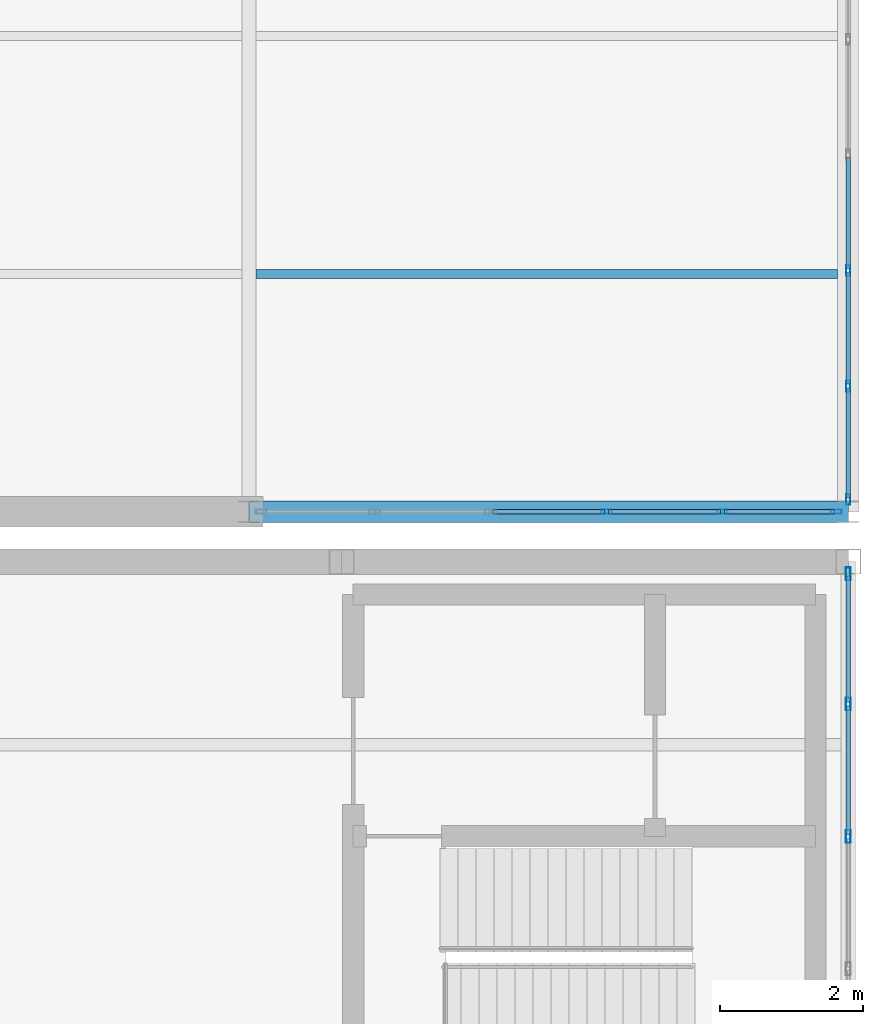
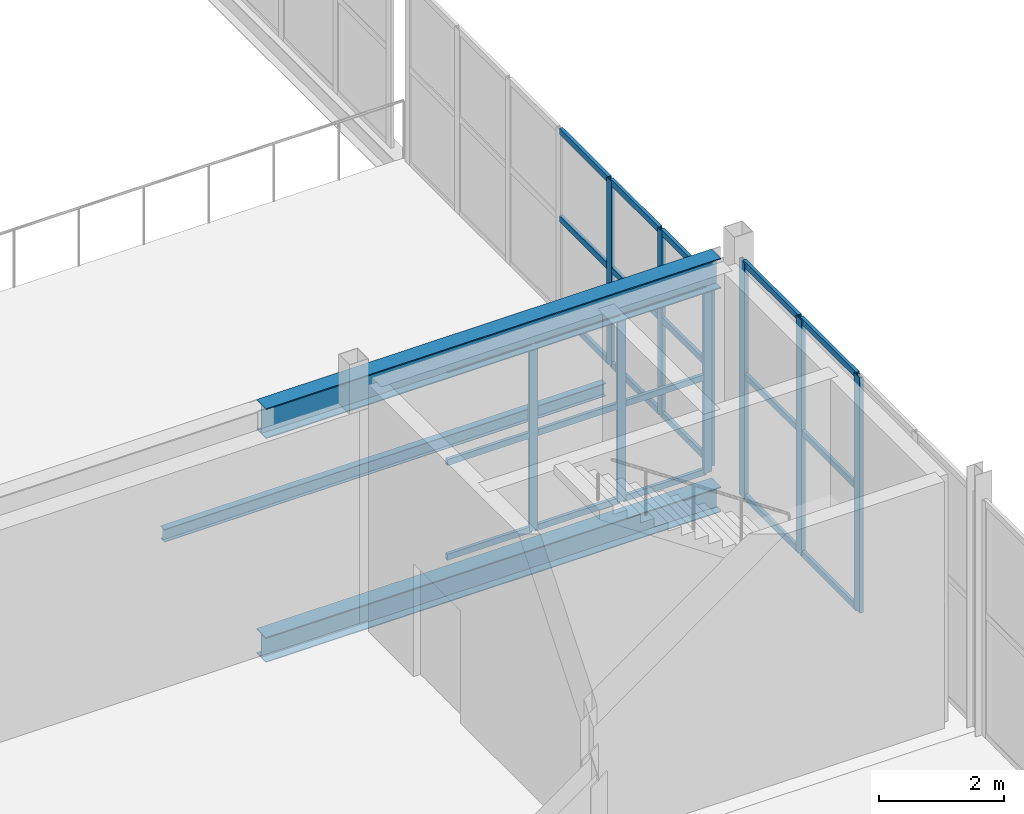
# One storey, part 152 of 218: 33 members, 3 beams, 3 elements without a shape of their own.
"""IFC4 building model written with IfcOpenShell, lengths in metres."""

from ifc_helpers import new_model, si_unit, direction, frame, origin, origin_2d, place, context, subcontext, project, spatial, hollow_rectangle, i_section, extrude, material, material_profile, profile_set, type_object, element, aggregate, save


model = new_model("IFC4")

# Units and contexts
model_context = context("Model", 3, precision=1e-05, world=origin(), true_north=direction((0.0, 1.0)))
body_context = subcontext(model_context, "Body", "Model", "MODEL_VIEW")
ifc_project = project(units=[si_unit("LENGTHUNIT", "METRE"), si_unit("AREAUNIT", "SQUARE_METRE"), si_unit("VOLUMEUNIT", "CUBIC_METRE"), si_unit("PLANEANGLEUNIT", "RADIAN"), si_unit("MASSUNIT", "GRAM", prefix="KILO")], contexts=[model_context])

# Site, building, storey
site_placement = place(None, origin())
site = spatial("IfcSite", under=ifc_project, at=site_placement, CompositionType="ELEMENT")
building_placement = place(site_placement, origin())
building = spatial("IfcBuilding", under=site, at=building_placement, Name="Kazenagashi Tramway Depot", CompositionType="ELEMENT")
storey_placement = place(building_placement, frame((0.0, 0.0, 6.0)))
storey = spatial("IfcBuildingStorey", under=building, at=storey_placement, Name="L02", CompositionType="ELEMENT", Elevation=6.0)

# Beam
ifc_material_1 = material(Name="Steel SN400B", Category="steel")
ifc_material_profile_1 = material_profile(ifc_material_1, i_section(OverallWidth=0.125, OverallDepth=0.25, WebThickness=0.006, FlangeThickness=0.009, at=origin_2d()), Name="H-250x125x6x9")
ifc_profile_set_1 = profile_set([ifc_material_profile_1], Name="Steel SN400B")
beam_type_1 = type_object("IfcBeamType", Name="J-03", PredefinedType="JOIST", material=ifc_profile_set_1)
beam_1_placement = place(storey_placement, frame((187.7, 73.333, -0.39), z_axis=(1.0, 0.0, 0.0), x_axis=(0.0, 1.0, 0.0)))
element("IfcBeam", 1, at=beam_1_placement, inside=storey, type_object=beam_type_1, Name="Beam J-03 BM-1788", PredefinedType="JOIST", context=body_context, shape_type="SweptSolid", body=[
    extrude(i_section(OverallWidth=0.125, OverallDepth=0.25, WebThickness=0.006, FlangeThickness=0.009, at=origin_2d()), origin(), (0.0, 0.0, 1.0), 8.15),
])

# Curtain wall, members
ifc_material_2 = material(Name="Anodised Aluminium and Low-E Glazing", Category="aluminium")
curtain_wall_type_1 = type_object("IfcCurtainWallType", Name="CW-02", PredefinedType="USERDEFINED", material=ifc_material_2)
curtain_wall_1_placement = place(storey_placement, origin())
curtain_wall_1 = element("IfcCurtainWall", 2, at=curtain_wall_1_placement, inside=storey, type_object=curtain_wall_type_1, Name="Industrial Glazed Screen CW-02 CW-0002", ObjectType="GLAZED SCREEN", PredefinedType="USERDEFINED")
ifc_material_3 = material(Name="Anodised Aluminium", Category="aluminium")
ifc_material_profile_2 = material_profile(ifc_material_3, hollow_rectangle(XDim=0.06, YDim=0.15, WallThickness=0.004, at=origin_2d()), Name="RHS-150x60x4")
ifc_profile_set_2 = profile_set([ifc_material_profile_2], Name="Anodised Aluminium")
member_type_1 = type_object("IfcMemberType", Name="ML-01", PredefinedType="MULLION", material=ifc_profile_set_2)
member_1_placement = place(storey_placement, frame((196.0, 70.17, 0.0), z_axis=(0.0, 0.0, 1.0), x_axis=(-1.0, 0.0, 0.0)))
member_1 = element("IfcMember", 3, at=member_1_placement, type_object=member_type_1, Name="CW-02 mullion 1", PredefinedType="MULLION", context=body_context, shape_type="SweptSolid", body=[
    extrude(hollow_rectangle(XDim=0.06, YDim=0.15, WallThickness=0.004, at=origin_2d()), origin(), (0.0, 0.0, 1.0), 3.612),
])
member_2_placement = place(storey_placement, frame((196.0, 71.76, 0.0), z_axis=(0.0, 0.0, 1.0), x_axis=(-1.0, 0.0, 0.0)))
member_2 = element("IfcMember", 4, at=member_2_placement, type_object=member_type_1, Name="CW-02 mullion 2", PredefinedType="MULLION", context=body_context, shape_type="SweptSolid", body=[
    extrude(hollow_rectangle(XDim=0.06, YDim=0.15, WallThickness=0.004, at=origin_2d()), origin(), (0.0, 0.0, 1.0), 3.612),
])
member_3_placement = place(storey_placement, frame((196.0, 73.38, 0.0), z_axis=(0.0, 0.0, 1.0), x_axis=(-1.0, 0.0, 0.0)))
member_3 = element("IfcMember", 5, at=member_3_placement, type_object=member_type_1, Name="CW-02 mullion 3", PredefinedType="MULLION", context=body_context, shape_type="SweptSolid", body=[
    extrude(hollow_rectangle(XDim=0.06, YDim=0.15, WallThickness=0.004, at=origin_2d()), origin(), (0.0, 0.0, 1.0), 3.612),
])

curtain_wall_type_2 = type_object("IfcCurtainWallType", Name="CW-11", PredefinedType="USERDEFINED", material=ifc_material_2)
curtain_wall_2_placement = place(storey_placement, origin())
curtain_wall_2 = element("IfcCurtainWall", 6, at=curtain_wall_2_placement, inside=storey, type_object=curtain_wall_type_2, Name="Industrial Glazed Screen CW-11 CW-0055", ObjectType="GLAZED SCREEN", PredefinedType="USERDEFINED")
member_4_placement = place(storey_placement, frame((192.612, 70.0, 0.0), z_axis=(0.0, 0.0, 1.0), x_axis=(0.0, 1.0, 0.0)))
member_4 = element("IfcMember", 7, at=member_4_placement, type_object=member_type_1, Name="CW-11 mullion 4", PredefinedType="MULLION", context=body_context, shape_type="SweptSolid", body=[
    extrude(hollow_rectangle(XDim=0.06, YDim=0.15, WallThickness=0.004, at=origin_2d()), origin(), (0.0, 0.0, 1.0), 3.612),
])
member_5_placement = place(storey_placement, frame((194.236, 70.0, 0.0), z_axis=(0.0, 0.0, 1.0), x_axis=(0.0, 1.0, 0.0)))
member_5 = element("IfcMember", 8, at=member_5_placement, type_object=member_type_1, Name="CW-11 mullion 5", PredefinedType="MULLION", context=body_context, shape_type="SweptSolid", body=[
    extrude(hollow_rectangle(XDim=0.06, YDim=0.15, WallThickness=0.004, at=origin_2d()), origin(), (0.0, 0.0, 1.0), 3.612),
])
member_6_placement = place(storey_placement, frame((195.83, 70.0, 0.0), z_axis=(0.0, 0.0, 1.0), x_axis=(0.0, 1.0, 0.0)))
member_6 = element("IfcMember", 9, at=member_6_placement, type_object=member_type_1, Name="CW-11 mullion 6", PredefinedType="MULLION", context=body_context, shape_type="SweptSolid", body=[
    extrude(hollow_rectangle(XDim=0.06, YDim=0.15, WallThickness=0.004, at=origin_2d()), origin(), (0.0, 0.0, 1.0), 3.612),
])

curtain_wall_type_3 = type_object("IfcCurtainWallType", Name="CW-23", PredefinedType="USERDEFINED", material=ifc_material_2)
curtain_wall_3_placement = place(storey_placement, origin())
curtain_wall_3 = element("IfcCurtainWall", 10, at=curtain_wall_3_placement, inside=storey, type_object=curtain_wall_type_3, Name="Industrial Glazed Screen CW-23 CW-0133", ObjectType="GLAZED SCREEN", PredefinedType="USERDEFINED")
ifc_material_profile_3 = material_profile(ifc_material_3, hollow_rectangle(XDim=0.07, YDim=0.18, WallThickness=0.005, at=origin_2d()), Name="RHS-180x70x5")
ifc_profile_set_3 = profile_set([ifc_material_profile_3], Name="Anodised Aluminium")
member_type_2 = type_object("IfcMemberType", Name="ML-02", PredefinedType="MULLION", material=ifc_profile_set_3)
member_7_placement = place(storey_placement, frame((196.0, 65.45, 0.0), z_axis=(0.0, 0.0, 1.0), x_axis=(-1.0, 0.0, 0.0)))
member_7 = element("IfcMember", 11, at=member_7_placement, type_object=member_type_2, Name="CW-23 mullion 3", PredefinedType="MULLION", context=body_context, shape_type="SweptSolid", body=[
    extrude(hollow_rectangle(XDim=0.07, YDim=0.18, WallThickness=0.005, at=origin_2d()), origin(), (0.0, 0.0, 1.0), 4.6),
])
member_8_placement = place(storey_placement, frame((196.0, 67.305, 0.0), z_axis=(0.0, 0.0, 1.0), x_axis=(-1.0, 0.0, 0.0)))
member_8 = element("IfcMember", 12, at=member_8_placement, type_object=member_type_2, Name="CW-23 mullion 4", PredefinedType="MULLION", context=body_context, shape_type="SweptSolid", body=[
    extrude(hollow_rectangle(XDim=0.07, YDim=0.18, WallThickness=0.005, at=origin_2d()), origin(), (0.0, 0.0, 1.0), 4.6),
])
member_9_placement = place(storey_placement, frame((196.0, 69.13, 0.0), z_axis=(0.0, 0.0, 1.0), x_axis=(-1.0, 0.0, 0.0)))
member_9 = element("IfcMember", 13, at=member_9_placement, type_object=member_type_2, Name="CW-23 mullion 5", PredefinedType="MULLION", context=body_context, shape_type="SweptSolid", body=[
    extrude(hollow_rectangle(XDim=0.07, YDim=0.18, WallThickness=0.005, at=origin_2d()), origin(), (0.0, 0.0, 1.0), 4.6),
])

# Beams
ifc_material_4 = material(Name="Steel SN490B", Category="steel")
ifc_material_profile_4 = material_profile(ifc_material_4, i_section(OverallWidth=0.3, OverallDepth=0.588, WebThickness=0.012, FlangeThickness=0.02, at=origin_2d()), Name="H-588x300x12x20")
ifc_profile_set_4 = profile_set([ifc_material_profile_4], Name="Steel SN490B")
beam_type_2 = type_object("IfcBeamType", Name="SP-01", PredefinedType="SPANDREL", material=ifc_profile_set_4)
beam_2_placement = place(storey_placement, frame((187.6, 70.0, 3.906), z_axis=(1.0, 0.0, 0.0), x_axis=(0.0, 1.0, 0.0)))
element("IfcBeam", 14, at=beam_2_placement, inside=storey, type_object=beam_type_2, Name="Beam SP-01 BM-1861", PredefinedType="SPANDREL", context=body_context, shape_type="SweptSolid", body=[
    extrude(i_section(OverallWidth=0.3, OverallDepth=0.588, WebThickness=0.012, FlangeThickness=0.02, at=origin_2d()), origin(), (0.0, 0.0, 1.0), 8.4),
])
ifc_material_profile_5 = material_profile(ifc_material_4, i_section(OverallWidth=0.3, OverallDepth=0.488, WebThickness=0.011, FlangeThickness=0.018, at=origin_2d()), Name="H-488x300x11x18")
ifc_profile_set_5 = profile_set([ifc_material_profile_5], Name="Steel SN490B")
beam_type_3 = type_object("IfcBeamType", Name="SP-02", PredefinedType="SPANDREL", material=ifc_profile_set_5)
beam_3_placement = place(storey_placement, frame((187.6, 70.0, -0.509), z_axis=(1.0, 0.0, 0.0), x_axis=(0.0, 1.0, 0.0)))
element("IfcBeam", 15, at=beam_3_placement, inside=storey, type_object=beam_type_3, Name="Beam SP-02 BM-1718", PredefinedType="SPANDREL", context=body_context, shape_type="SweptSolid", body=[
    extrude(i_section(OverallWidth=0.3, OverallDepth=0.488, WebThickness=0.011, FlangeThickness=0.018, at=origin_2d()), origin(), (0.0, 0.0, 1.0), 8.4),
])

# Member
ifc_material_profile_6 = material_profile(ifc_material_3, hollow_rectangle(XDim=0.06, YDim=0.12, WallThickness=0.004, at=origin_2d()), Name="RHS-120x60x4")
ifc_profile_set_6 = profile_set([ifc_material_profile_6], Name="Anodised Aluminium")
member_type_3 = type_object("IfcMemberType", Name="TR-01", PredefinedType="USERDEFINED", material=ifc_profile_set_6)
member_10_placement = place(storey_placement, frame((196.0, 70.2, 0.03), z_axis=(0.0, 1.0, 0.0), x_axis=(-1.0, 0.0, 0.0)))
member_10 = element("IfcMember", 16, at=member_10_placement, type_object=member_type_3, Name="CW-02 transom 1.1", ObjectType="TRANSOM", PredefinedType="USERDEFINED", context=body_context, shape_type="SweptSolid", body=[
    extrude(hollow_rectangle(XDim=0.06, YDim=0.12, WallThickness=0.004, at=origin_2d()), origin(), (0.0, 0.0, 1.0), 1.53),
])

member_11_placement = place(storey_placement, frame((196.0, 70.2, 1.878), z_axis=(0.0, 1.0, 0.0), x_axis=(-1.0, 0.0, 0.0)))
member_11 = element("IfcMember", 17, at=member_11_placement, type_object=member_type_3, Name="CW-02 transom 1.2", ObjectType="TRANSOM", PredefinedType="USERDEFINED", context=body_context, shape_type="SweptSolid", body=[
    extrude(hollow_rectangle(XDim=0.06, YDim=0.12, WallThickness=0.004, at=origin_2d()), origin(), (0.0, 0.0, 1.0), 1.53),
])

member_12_placement = place(storey_placement, frame((196.0, 70.2, 3.582), z_axis=(0.0, 1.0, 0.0), x_axis=(-1.0, 0.0, 0.0)))
member_12 = element("IfcMember", 18, at=member_12_placement, type_object=member_type_3, Name="CW-02 transom 1.3", ObjectType="TRANSOM", PredefinedType="USERDEFINED", context=body_context, shape_type="SweptSolid", body=[
    extrude(hollow_rectangle(XDim=0.06, YDim=0.12, WallThickness=0.004, at=origin_2d()), origin(), (0.0, 0.0, 1.0), 1.53),
])

member_13_placement = place(storey_placement, frame((196.0, 71.79, 0.03), z_axis=(0.0, 1.0, 0.0), x_axis=(-1.0, 0.0, 0.0)))
member_13 = element("IfcMember", 19, at=member_13_placement, type_object=member_type_3, Name="CW-02 transom 2.1", ObjectType="TRANSOM", PredefinedType="USERDEFINED", context=body_context, shape_type="SweptSolid", body=[
    extrude(hollow_rectangle(XDim=0.06, YDim=0.12, WallThickness=0.004, at=origin_2d()), origin(), (0.0, 0.0, 1.0), 1.56),
])

member_14_placement = place(storey_placement, frame((196.0, 71.79, 1.878), z_axis=(0.0, 1.0, 0.0), x_axis=(-1.0, 0.0, 0.0)))
member_14 = element("IfcMember", 20, at=member_14_placement, type_object=member_type_3, Name="CW-02 transom 2.2", ObjectType="TRANSOM", PredefinedType="USERDEFINED", context=body_context, shape_type="SweptSolid", body=[
    extrude(hollow_rectangle(XDim=0.06, YDim=0.12, WallThickness=0.004, at=origin_2d()), origin(), (0.0, 0.0, 1.0), 1.56),
])

member_15_placement = place(storey_placement, frame((196.0, 71.79, 3.582), z_axis=(0.0, 1.0, 0.0), x_axis=(-1.0, 0.0, 0.0)))
member_15 = element("IfcMember", 21, at=member_15_placement, type_object=member_type_3, Name="CW-02 transom 2.3", ObjectType="TRANSOM", PredefinedType="USERDEFINED", context=body_context, shape_type="SweptSolid", body=[
    extrude(hollow_rectangle(XDim=0.06, YDim=0.12, WallThickness=0.004, at=origin_2d()), origin(), (0.0, 0.0, 1.0), 1.56),
])

member_16_placement = place(storey_placement, frame((196.0, 73.41, 0.03), z_axis=(0.0, 1.0, 0.0), x_axis=(-1.0, 0.0, 0.0)))
member_16 = element("IfcMember", 22, at=member_16_placement, type_object=member_type_3, Name="CW-02 transom 3.1", ObjectType="TRANSOM", PredefinedType="USERDEFINED", context=body_context, shape_type="SweptSolid", body=[
    extrude(hollow_rectangle(XDim=0.06, YDim=0.12, WallThickness=0.004, at=origin_2d()), origin(), (0.0, 0.0, 1.0), 1.56),
])

member_17_placement = place(storey_placement, frame((196.0, 73.41, 1.878), z_axis=(0.0, 1.0, 0.0), x_axis=(-1.0, 0.0, 0.0)))
member_17 = element("IfcMember", 23, at=member_17_placement, type_object=member_type_3, Name="CW-02 transom 3.2", ObjectType="TRANSOM", PredefinedType="USERDEFINED", context=body_context, shape_type="SweptSolid", body=[
    extrude(hollow_rectangle(XDim=0.06, YDim=0.12, WallThickness=0.004, at=origin_2d()), origin(), (0.0, 0.0, 1.0), 1.56),
])

member_18_placement = place(storey_placement, frame((196.0, 73.41, 3.582), z_axis=(0.0, 1.0, 0.0), x_axis=(-1.0, 0.0, 0.0)))
member_18 = element("IfcMember", 24, at=member_18_placement, type_object=member_type_3, Name="CW-02 transom 3.3", ObjectType="TRANSOM", PredefinedType="USERDEFINED", context=body_context, shape_type="SweptSolid", body=[
    extrude(hollow_rectangle(XDim=0.06, YDim=0.12, WallThickness=0.004, at=origin_2d()), origin(), (0.0, 0.0, 1.0), 1.56),
])

aggregate(curtain_wall_1, [member_1, member_2, member_3, member_10, member_11, member_12, member_13, member_14, member_15, member_16, member_17, member_18])

member_19_placement = place(storey_placement, frame((191.018, 70.0, 0.03), z_axis=(1.0, 0.0, 0.0), x_axis=(0.0, 1.0, 0.0)))
member_19 = element("IfcMember", 25, at=member_19_placement, type_object=member_type_3, Name="CW-11 transom 3.1", ObjectType="TRANSOM", PredefinedType="USERDEFINED", context=body_context, shape_type="SweptSolid", body=[
    extrude(hollow_rectangle(XDim=0.06, YDim=0.12, WallThickness=0.004, at=origin_2d()), origin(), (0.0, 0.0, 1.0), 1.564),
])

member_20_placement = place(storey_placement, frame((191.018, 70.0, 1.878), z_axis=(1.0, 0.0, 0.0), x_axis=(0.0, 1.0, 0.0)))
member_20 = element("IfcMember", 26, at=member_20_placement, type_object=member_type_3, Name="CW-11 transom 3.2", ObjectType="TRANSOM", PredefinedType="USERDEFINED", context=body_context, shape_type="SweptSolid", body=[
    extrude(hollow_rectangle(XDim=0.06, YDim=0.12, WallThickness=0.004, at=origin_2d()), origin(), (0.0, 0.0, 1.0), 1.564),
])

member_21_placement = place(storey_placement, frame((191.018, 70.0, 3.582), z_axis=(1.0, 0.0, 0.0), x_axis=(0.0, 1.0, 0.0)))
member_21 = element("IfcMember", 27, at=member_21_placement, type_object=member_type_3, Name="CW-11 transom 3.3", ObjectType="TRANSOM", PredefinedType="USERDEFINED", context=body_context, shape_type="SweptSolid", body=[
    extrude(hollow_rectangle(XDim=0.06, YDim=0.12, WallThickness=0.004, at=origin_2d()), origin(), (0.0, 0.0, 1.0), 1.564),
])

member_22_placement = place(storey_placement, frame((192.642, 70.0, 0.03), z_axis=(1.0, 0.0, 0.0), x_axis=(0.0, 1.0, 0.0)))
member_22 = element("IfcMember", 28, at=member_22_placement, type_object=member_type_3, Name="CW-11 transom 4.1", ObjectType="TRANSOM", PredefinedType="USERDEFINED", context=body_context, shape_type="SweptSolid", body=[
    extrude(hollow_rectangle(XDim=0.06, YDim=0.12, WallThickness=0.004, at=origin_2d()), origin(), (0.0, 0.0, 1.0), 1.564),
])

member_23_placement = place(storey_placement, frame((192.642, 70.0, 1.878), z_axis=(1.0, 0.0, 0.0), x_axis=(0.0, 1.0, 0.0)))
member_23 = element("IfcMember", 29, at=member_23_placement, type_object=member_type_3, Name="CW-11 transom 4.2", ObjectType="TRANSOM", PredefinedType="USERDEFINED", context=body_context, shape_type="SweptSolid", body=[
    extrude(hollow_rectangle(XDim=0.06, YDim=0.12, WallThickness=0.004, at=origin_2d()), origin(), (0.0, 0.0, 1.0), 1.564),
])

member_24_placement = place(storey_placement, frame((192.642, 70.0, 3.582), z_axis=(1.0, 0.0, 0.0), x_axis=(0.0, 1.0, 0.0)))
member_24 = element("IfcMember", 30, at=member_24_placement, type_object=member_type_3, Name="CW-11 transom 4.3", ObjectType="TRANSOM", PredefinedType="USERDEFINED", context=body_context, shape_type="SweptSolid", body=[
    extrude(hollow_rectangle(XDim=0.06, YDim=0.12, WallThickness=0.004, at=origin_2d()), origin(), (0.0, 0.0, 1.0), 1.564),
])

member_25_placement = place(storey_placement, frame((194.266, 70.0, 0.03), z_axis=(1.0, 0.0, 0.0), x_axis=(0.0, 1.0, 0.0)))
member_25 = element("IfcMember", 31, at=member_25_placement, type_object=member_type_3, Name="CW-11 transom 5.1", ObjectType="TRANSOM", PredefinedType="USERDEFINED", context=body_context, shape_type="SweptSolid", body=[
    extrude(hollow_rectangle(XDim=0.06, YDim=0.12, WallThickness=0.004, at=origin_2d()), origin(), (0.0, 0.0, 1.0), 1.534),
])

member_26_placement = place(storey_placement, frame((194.266, 70.0, 1.878), z_axis=(1.0, 0.0, 0.0), x_axis=(0.0, 1.0, 0.0)))
member_26 = element("IfcMember", 32, at=member_26_placement, type_object=member_type_3, Name="CW-11 transom 5.2", ObjectType="TRANSOM", PredefinedType="USERDEFINED", context=body_context, shape_type="SweptSolid", body=[
    extrude(hollow_rectangle(XDim=0.06, YDim=0.12, WallThickness=0.004, at=origin_2d()), origin(), (0.0, 0.0, 1.0), 1.534),
])

member_27_placement = place(storey_placement, frame((194.266, 70.0, 3.582), z_axis=(1.0, 0.0, 0.0), x_axis=(0.0, 1.0, 0.0)))
member_27 = element("IfcMember", 33, at=member_27_placement, type_object=member_type_3, Name="CW-11 transom 5.3", ObjectType="TRANSOM", PredefinedType="USERDEFINED", context=body_context, shape_type="SweptSolid", body=[
    extrude(hollow_rectangle(XDim=0.06, YDim=0.12, WallThickness=0.004, at=origin_2d()), origin(), (0.0, 0.0, 1.0), 1.534),
])

aggregate(curtain_wall_2, [member_4, member_5, member_6, member_19, member_20, member_21, member_22, member_23, member_24, member_25, member_26, member_27])

member_28_placement = place(storey_placement, frame((196.0, 65.48, 0.03), z_axis=(0.0, 1.0, 0.0), x_axis=(-1.0, 0.0, 0.0)))
member_28 = element("IfcMember", 34, at=member_28_placement, type_object=member_type_3, Name="CW-23 transom 3.1", ObjectType="TRANSOM", PredefinedType="USERDEFINED", context=body_context, shape_type="SweptSolid", body=[
    extrude(hollow_rectangle(XDim=0.06, YDim=0.12, WallThickness=0.004, at=origin_2d()), origin(), (0.0, 0.0, 1.0), 1.795),
])

member_29_placement = place(storey_placement, frame((196.0, 65.48, 2.392), z_axis=(0.0, 1.0, 0.0), x_axis=(-1.0, 0.0, 0.0)))
member_29 = element("IfcMember", 35, at=member_29_placement, type_object=member_type_3, Name="CW-23 transom 3.2", ObjectType="TRANSOM", PredefinedType="USERDEFINED", context=body_context, shape_type="SweptSolid", body=[
    extrude(hollow_rectangle(XDim=0.06, YDim=0.12, WallThickness=0.004, at=origin_2d()), origin(), (0.0, 0.0, 1.0), 1.795),
])

member_30_placement = place(storey_placement, frame((196.0, 65.48, 4.57), z_axis=(0.0, 1.0, 0.0), x_axis=(-1.0, 0.0, 0.0)))
member_30 = element("IfcMember", 36, at=member_30_placement, type_object=member_type_3, Name="CW-23 transom 3.3", ObjectType="TRANSOM", PredefinedType="USERDEFINED", context=body_context, shape_type="SweptSolid", body=[
    extrude(hollow_rectangle(XDim=0.06, YDim=0.12, WallThickness=0.004, at=origin_2d()), origin(), (0.0, 0.0, 1.0), 1.795),
])

member_31_placement = place(storey_placement, frame((196.0, 67.335, 0.03), z_axis=(0.0, 1.0, 0.0), x_axis=(-1.0, 0.0, 0.0)))
member_31 = element("IfcMember", 37, at=member_31_placement, type_object=member_type_3, Name="CW-23 transom 4.1", ObjectType="TRANSOM", PredefinedType="USERDEFINED", context=body_context, shape_type="SweptSolid", body=[
    extrude(hollow_rectangle(XDim=0.06, YDim=0.12, WallThickness=0.004, at=origin_2d()), origin(), (0.0, 0.0, 1.0), 1.765),
])

member_32_placement = place(storey_placement, frame((196.0, 67.335, 2.392), z_axis=(0.0, 1.0, 0.0), x_axis=(-1.0, 0.0, 0.0)))
member_32 = element("IfcMember", 38, at=member_32_placement, type_object=member_type_3, Name="CW-23 transom 4.2", ObjectType="TRANSOM", PredefinedType="USERDEFINED", context=body_context, shape_type="SweptSolid", body=[
    extrude(hollow_rectangle(XDim=0.06, YDim=0.12, WallThickness=0.004, at=origin_2d()), origin(), (0.0, 0.0, 1.0), 1.765),
])

member_33_placement = place(storey_placement, frame((196.0, 67.335, 4.57), z_axis=(0.0, 1.0, 0.0), x_axis=(-1.0, 0.0, 0.0)))
member_33 = element("IfcMember", 39, at=member_33_placement, type_object=member_type_3, Name="CW-23 transom 4.3", ObjectType="TRANSOM", PredefinedType="USERDEFINED", context=body_context, shape_type="SweptSolid", body=[
    extrude(hollow_rectangle(XDim=0.06, YDim=0.12, WallThickness=0.004, at=origin_2d()), origin(), (0.0, 0.0, 1.0), 1.765),
])

aggregate(curtain_wall_3, [member_7, member_8, member_9, member_28, member_29, member_30, member_31, member_32, member_33])

save(model, "model.ifc")
